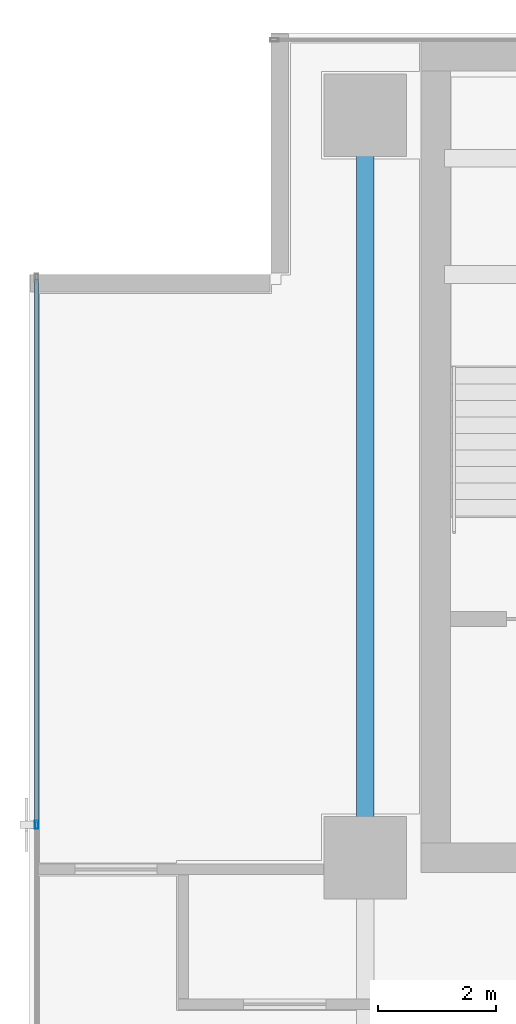
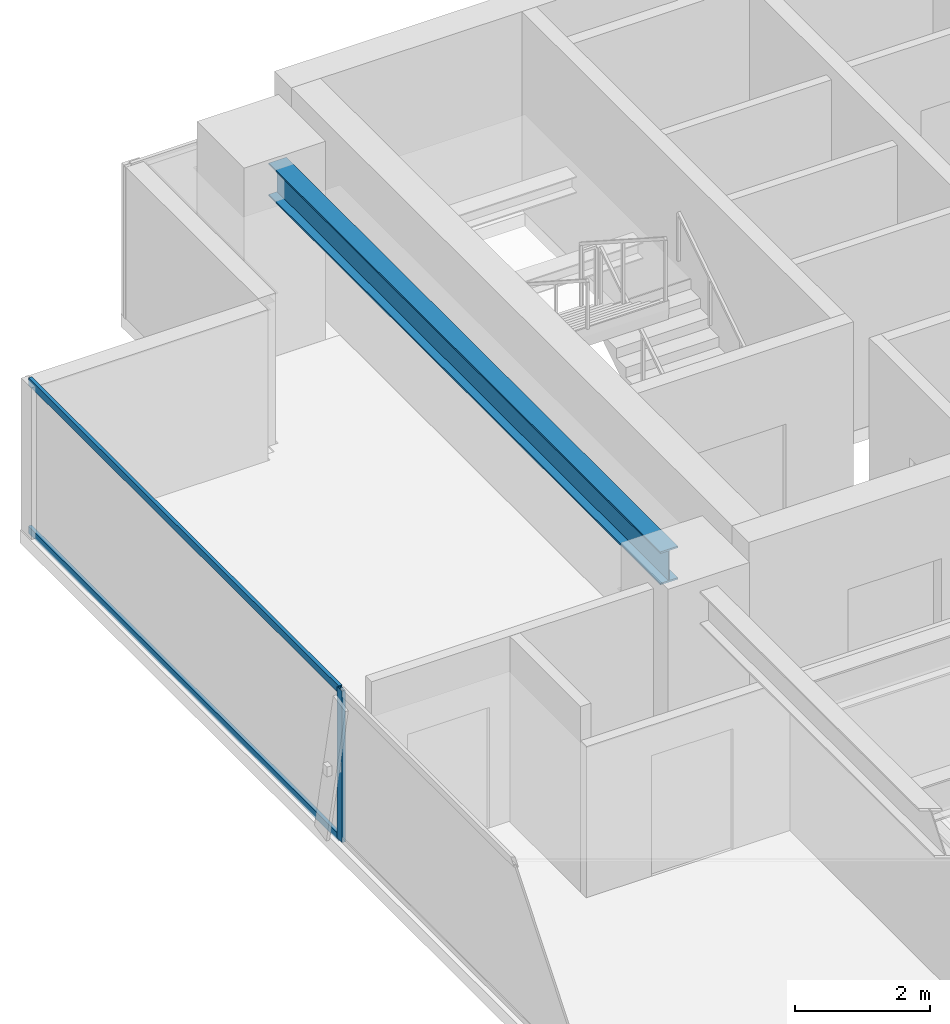
# One storey, part 9 of 26: 3 members, 1 beam, 1 element without a shape of its own.
"""IFC4 building model written with IfcOpenShell, lengths in metres."""

from ifc_helpers import new_model, si_unit, direction, frame, origin, origin_2d, place, context, subcontext, project, spatial, hollow_rectangle, i_section, extrude, source, transform, mapped, material, layer, layer_set, material_profile, profile_set, type_object, element, aggregate, save


model = new_model("IFC4")

# Units and contexts
model_context = context("Model", 3, precision=1e-05, world=origin(), true_north=direction((0.0, 1.0)))
body_context = subcontext(model_context, "Body", "Model", "MODEL_VIEW")
ifc_project = project(units=[si_unit("LENGTHUNIT", "METRE"), si_unit("AREAUNIT", "SQUARE_METRE"), si_unit("VOLUMEUNIT", "CUBIC_METRE"), si_unit("PLANEANGLEUNIT", "RADIAN"), si_unit("MASSUNIT", "GRAM", prefix="KILO")], contexts=[model_context])

# Site, building, storey
site_placement = place(None, origin())
site = spatial("IfcSite", under=ifc_project, at=site_placement, CompositionType="ELEMENT")
building_placement = place(site_placement, origin())
building = spatial("IfcBuilding", under=site, at=building_placement, Name="Sumidabori Civic Tower", CompositionType="ELEMENT")
storey_placement = place(building_placement, frame((0.0, 0.0, 264.800048828125)))
storey = spatial("IfcBuildingStorey", under=building, at=storey_placement, Name="L69", CompositionType="ELEMENT", Elevation=264.800048828125)

# Beam
ifc_material_1 = material(Name="Steel SN490", Category="steel")
ifc_material_profile_1 = material_profile(ifc_material_1, i_section(OverallWidth=0.300048828125, OverallDepth=0.60009765625, WebThickness=0.015380859375, FlangeThickness=0.030029296875, at=origin_2d()), Name="HE 600 B")
ifc_profile_set_1 = profile_set([ifc_material_profile_1], Name="Steel SN490")
beam_type = type_object("IfcBeamType", Name="BM-GIRD-600", PredefinedType="BEAM", material=ifc_profile_set_1)
shared_shape_1 = source(origin(), body_context, "Body", "SweptSolid", [
    extrude(i_section(OverallWidth=0.300048828125, OverallDepth=0.60009765625, WebThickness=0.015380859375, FlangeThickness=0.030029296875, at=origin_2d()), origin(), (0.0, 0.0, 1.0), 11.64013671875),
])
beam_placement = place(storey_placement, frame((-16.800048828125, 10.679931640625, 3.070068359375), z_axis=(0.0, 1.0, 0.0), x_axis=(-1.0, 0.0, 0.0)))
element("IfcBeam", 1, at=beam_placement, inside=storey, type_object=beam_type, Name="Primary Girder L69 GY-11", PredefinedType="BEAM", context=body_context, shape_type="MappedRepresentation", body=[
    mapped(shared_shape_1, transform((0.0, 0.0, 0.0), x_axis=(1.0, 0.0, 0.0), y_axis=(0.0, 1.0, 0.0), z_axis=(0.0, 0.0, 1.0), scale=1.0)),
])

# Curtain wall, members
ifc_material_2 = material(Name="Anodised Bronze Aluminium AW-6063-T6", Category="aluminium")
ifc_layer = layer(ifc_material_2, 0.179931640625, Name="Anodised Bronze Aluminium AW-6063-T6")
ifc_layer_set = layer_set([ifc_layer], Name="Anodised Bronze Aluminium AW-6063-T6")
curtain_wall_type = type_object("IfcCurtainWallType", Name="CW-SYS-5", PredefinedType="NOTDEFINED", material=ifc_layer_set)
curtain_wall_placement = place(storey_placement, origin())
curtain_wall = element("IfcCurtainWall", 2, at=curtain_wall_placement, inside=storey, type_object=curtain_wall_type, Name="Curtain Wall CW:L69:R10", PredefinedType="NOTDEFINED")
ifc_material_profile_2 = material_profile(ifc_material_2, hollow_rectangle(XDim=0.06005859375, YDim=0.139892578125, WallThickness=0.0048828125, at=origin_2d()), Name="ALU MULLION 140x60")
ifc_profile_set_2 = profile_set([ifc_material_profile_2], Name="Anodised Bronze Aluminium AW-6063-T6")
member_type_1 = type_object("IfcMemberType", Name="CW-MUL-140", PredefinedType="MULLION", material=ifc_profile_set_2)
shared_shape_2 = source(origin(), body_context, "Body", "SweptSolid", [
    extrude(hollow_rectangle(XDim=0.06005859375, YDim=0.139892578125, WallThickness=0.0048828125, at=origin_2d()), origin(), (0.0, 0.0, 1.0), 2.75),
])
member_1_placement = place(storey_placement, frame((-22.3798828125, 10.756591796875, 0.0), z_axis=(0.0, 0.0, 1.0), x_axis=(1.0, 0.0, 0.0)))
member_1 = element("IfcMember", 3, at=member_1_placement, type_object=member_type_1, Name="CW-5 mullion 2", PredefinedType="MULLION", context=body_context, shape_type="MappedRepresentation", body=[
    mapped(shared_shape_2, transform((0.0, 0.0, 0.0), x_axis=(1.0, 0.0, 0.0), y_axis=(0.0, 1.0, 0.0), z_axis=(0.0, 0.0, 1.0), scale=1.0)),
])
ifc_material_profile_3 = material_profile(ifc_material_2, hollow_rectangle(XDim=0.06005859375, YDim=0.1298828125, WallThickness=0.0048828125, at=origin_2d()), Name="ALU TRANSOM 130x60")
ifc_profile_set_3 = profile_set([ifc_material_profile_3], Name="Anodised Bronze Aluminium AW-6063-T6")
member_type_2 = type_object("IfcMemberType", Name="CW-TRN-130", PredefinedType="USERDEFINED", material=ifc_profile_set_3)
shared_shape_3 = source(origin(), body_context, "Body", "SweptSolid", [
    extrude(hollow_rectangle(XDim=0.06005859375, YDim=0.1298828125, WallThickness=0.0048828125, at=origin_2d()), origin(), (0.0, 0.0, 1.0), 9.223388671875),
])
member_2_placement = place(storey_placement, frame((-22.3798828125, 20.010009765625, 0.030029296875), z_axis=(0.0, -1.0, 0.0), x_axis=(1.0, 0.0, 0.0)))
member_2 = element("IfcMember", 4, at=member_2_placement, type_object=member_type_2, Name="CW-5 transom 1.1", ObjectType="TRANSOM", PredefinedType="USERDEFINED", context=body_context, shape_type="MappedRepresentation", body=[
    mapped(shared_shape_3, transform((0.0, 0.0, 0.0), x_axis=(1.0, 0.0, 0.0), y_axis=(0.0, 1.0, 0.0), z_axis=(0.0, 0.0, 1.0), scale=1.0)),
])
member_3_placement = place(storey_placement, frame((-22.3798828125, 20.010009765625, 2.719970703125), z_axis=(0.0, -1.0, 0.0), x_axis=(1.0, 0.0, 0.0)))
member_3 = element("IfcMember", 5, at=member_3_placement, type_object=member_type_2, Name="CW-5 transom 1.2", ObjectType="TRANSOM", PredefinedType="USERDEFINED", context=body_context, shape_type="MappedRepresentation", body=[
    mapped(shared_shape_3, transform((0.0, 0.0, 0.0), x_axis=(1.0, 0.0, 0.0), y_axis=(0.0, 1.0, 0.0), z_axis=(0.0, 0.0, 1.0), scale=1.0)),
])
aggregate(curtain_wall, [member_1, member_2, member_3])

save(model, "model.ifc")
